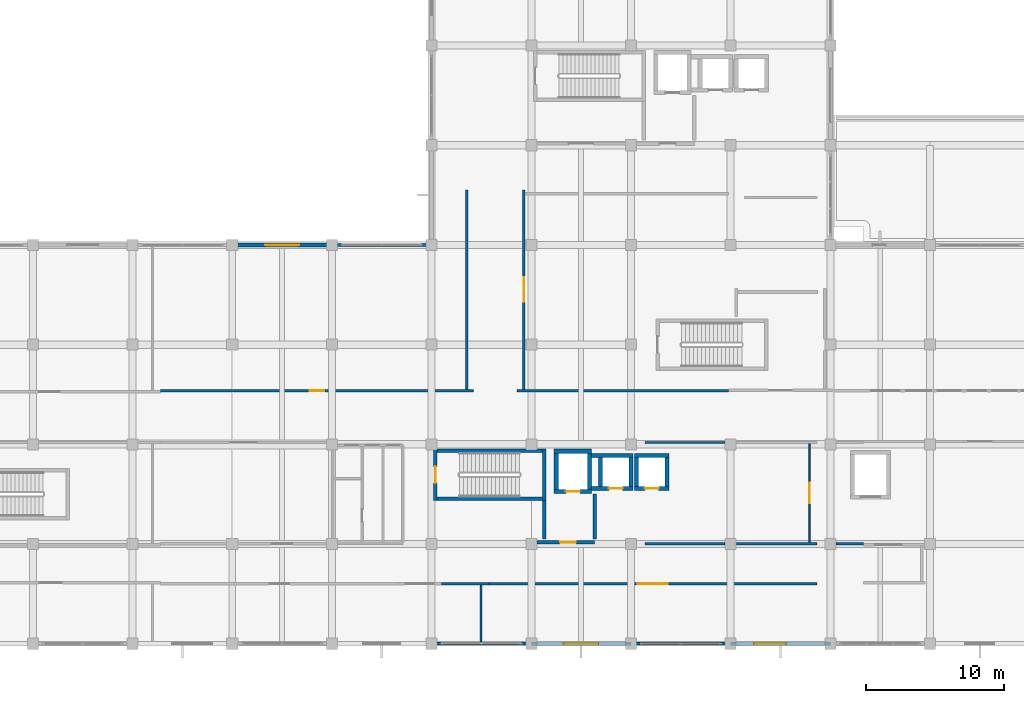
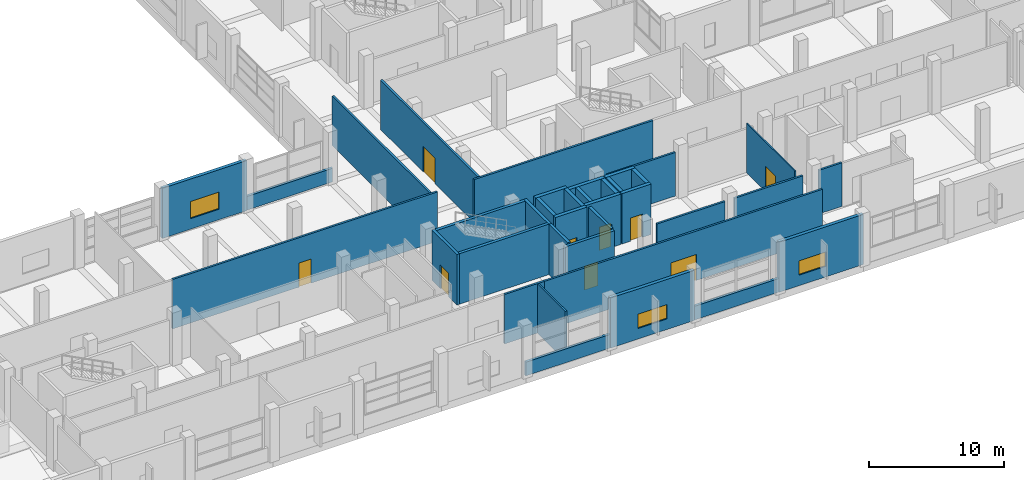
# One storey, part 122 of 140: 37 walls, 9 doors, 3 windows, 12 openings.
"""IFC4 building model written with IfcOpenShell, lengths in metres."""

from ifc_helpers import new_model, si_unit, direction, frame, frame_2d, origin, place, context, subcontext, project, spatial, rectangle, extrude, material, layer, layer_set, type_object, element, fill, save


model = new_model("IFC4")

# Units and contexts
model_context = context("Model", 3, precision=1e-05, world=origin(), true_north=direction((0.0, 1.0)))
body_context = subcontext(model_context, "Body", "Model", "MODEL_VIEW")
ifc_project = project(units=[si_unit("LENGTHUNIT", "METRE"), si_unit("AREAUNIT", "SQUARE_METRE"), si_unit("VOLUMEUNIT", "CUBIC_METRE"), si_unit("PLANEANGLEUNIT", "RADIAN"), si_unit("MASSUNIT", "GRAM", prefix="KILO")], contexts=[model_context])

# Site, building, storey
site_placement = place(None, origin())
site = spatial("IfcSite", under=ifc_project, at=site_placement, CompositionType="ELEMENT")
building_placement = place(site_placement, origin())
building = spatial("IfcBuilding", under=site, at=building_placement, Name="Seraya Terrace Polytechnic", CompositionType="ELEMENT")
storey_placement = place(building_placement, frame((0.0, 0.0, 9.60009765625)))
storey = spatial("IfcBuildingStorey", under=building, at=storey_placement, Name="L02", CompositionType="ELEMENT", Elevation=9.60009765625)

# Wall, opening, window
ifc_material_1 = material(Name="Precast concrete C40/50", Category="concrete")
ifc_layer_1 = layer(ifc_material_1, 0.280029296875, Name="EW-02")
ifc_layer_set_1 = layer_set([ifc_layer_1], Name="Precast concrete C40/50")
wall_type_1 = type_object("IfcWallType", Name="EW-02", PredefinedType="SOLIDWALL", material=ifc_layer_set_1)
wall_1_placement = place(storey_placement, frame((108.0, 0.0, 0.0), z_axis=(0.0, 0.0, 1.0), x_axis=(-1.0, 0.0, 0.0)))
wall_1 = element("IfcWall", 1, at=wall_1_placement, inside=storey, type_object=wall_type_1, Name="Exterior structural wall EW-02 L02", PredefinedType="SOLIDWALL", context=body_context, shape_type="SweptSolid", body=[
    extrude(rectangle(XDim=7.199951171875, YDim=0.280029296875, at=frame_2d((3.60009765625, 0.0))), origin(), (0.0, 0.0, 1.0), 4.52001953125),
])
opening_1_placement = place(wall_1_placement, frame((3.197998046875, 0.0, 0.949951171875)))
opening_1 = element("IfcOpeningElement", 2, at=opening_1_placement, cuts=wall_1, Name="Opening WN-09", PredefinedType="OPENING", context=body_context, shape_type="SweptSolid", body=[
    extrude(rectangle(XDim=2.300048828125, YDim=1.300048828125, at=frame_2d((1.14990234375, 0.64990234375))), frame((0.0, 0.15185546875, 0.0), z_axis=(0.0, -1.0, 0.0), x_axis=(1.0, 0.0, 0.0)), (0.0, 0.0, 1.0), 0.303955078125),
])
ifc_material_2 = material(Name="Laminated solar-control Low-E double glazing", Category="glass")
window_type_1 = type_object("IfcWindowType", Name="WN-09", PartitioningType="SINGLE_PANEL", PredefinedType="WINDOW", material=ifc_material_2)
window_1_placement = place(opening_1_placement, origin())
window_1 = element("IfcWindow", 3, at=window_1_placement, inside=storey, type_object=window_type_1, Name="Exterior window WN-09 L02", OverallHeight=1.300048828125, OverallWidth=2.300048828125, PartitioningType="SINGLE_PANEL", PredefinedType="WINDOW", context=body_context, shape_type="SweptSolid", body=[
    extrude(rectangle(XDim=2.300048828125, YDim=1.300048828125, at=frame_2d((1.14990234375, 0.64990234375))), frame((0.0, 0.030029296875, 0.0), z_axis=(0.0, -1.0, 0.0), x_axis=(1.0, 0.0, 0.0)), (0.0, 0.0, 1.0), 0.06005859375),
])
fill(opening_1, window_1)

wall_2_placement = place(storey_placement, frame((93.60009765625, 0.0, 0.0), z_axis=(0.0, 0.0, 1.0), x_axis=(-1.0, 0.0, 0.0)))
wall_2 = element("IfcWall", 4, at=wall_2_placement, inside=storey, type_object=wall_type_1, Name="Exterior structural wall EW-02 L02", PredefinedType="SOLIDWALL", context=body_context, shape_type="SweptSolid", body=[
    extrude(rectangle(XDim=7.2001953125, YDim=0.280029296875, at=frame_2d((3.60009765625, 0.0))), origin(), (0.0, 0.0, 1.0), 4.52001953125),
])
opening_2_placement = place(wall_2_placement, frame((2.35009765625, 0.0, 0.949951171875)))
opening_2 = element("IfcOpeningElement", 5, at=opening_2_placement, cuts=wall_2, Name="Opening WN-10", PredefinedType="OPENING", context=body_context, shape_type="SweptSolid", body=[
    extrude(rectangle(XDim=2.5, YDim=1.300048828125, at=frame_2d((1.25, 0.64990234375))), frame((0.0, 0.15185546875, 0.0), z_axis=(0.0, -1.0, 0.0), x_axis=(1.0, 0.0, 0.0)), (0.0, 0.0, 1.0), 0.303955078125),
])
window_type_2 = type_object("IfcWindowType", Name="WN-10", PartitioningType="SINGLE_PANEL", PredefinedType="WINDOW", material=ifc_material_2)
window_2_placement = place(opening_2_placement, origin())
window_2 = element("IfcWindow", 6, at=window_2_placement, inside=storey, type_object=window_type_2, Name="Exterior window WN-10 L02", OverallHeight=1.300048828125, OverallWidth=2.5, PartitioningType="SINGLE_PANEL", PredefinedType="WINDOW", context=body_context, shape_type="SweptSolid", body=[
    extrude(rectangle(XDim=2.5, YDim=1.300048828125, at=frame_2d((1.25, 0.64990234375))), frame((0.0, 0.030029296875, 0.0), z_axis=(0.0, -1.0, 0.0), x_axis=(1.0, 0.0, 0.0)), (0.0, 0.0, 1.0), 0.06005859375),
])
fill(opening_2, window_2)

wall_3_placement = place(storey_placement, frame((64.800048828125, 28.800048828125, 0.0), z_axis=(0.0, 0.0, 1.0), x_axis=(1.0, 0.0, 0.0)))
wall_3 = element("IfcWall", 7, at=wall_3_placement, inside=storey, type_object=wall_type_1, Name="Exterior structural wall EW-02 L02", PredefinedType="SOLIDWALL", context=body_context, shape_type="SweptSolid", body=[
    extrude(rectangle(XDim=7.199951171875, YDim=0.280029296875, at=frame_2d((3.60009765625, 0.0))), origin(), (0.0, 0.0, 1.0), 4.52001953125),
])
opening_3_placement = place(wall_3_placement, frame((2.375, 0.0, 0.949951171875)))
opening_3 = element("IfcOpeningElement", 8, at=opening_3_placement, cuts=wall_3, Name="Opening WN-21", PredefinedType="OPENING", context=body_context, shape_type="SweptSolid", body=[
    extrude(rectangle(XDim=2.449951171875, YDim=1.550048828125, at=frame_2d((1.22509765625, 0.77490234375))), frame((0.0, 0.15185546875, 0.0), z_axis=(0.0, -1.0, 0.0), x_axis=(1.0, 0.0, 0.0)), (0.0, 0.0, 1.0), 0.303955078125),
])
window_type_3 = type_object("IfcWindowType", Name="WN-21", PartitioningType="SINGLE_PANEL", PredefinedType="WINDOW", material=ifc_material_2)
window_3_placement = place(opening_3_placement, origin())
window_3 = element("IfcWindow", 9, at=window_3_placement, inside=storey, type_object=window_type_3, Name="Exterior window WN-21 L02", OverallHeight=1.550048828125, OverallWidth=2.449951171875, PartitioningType="SINGLE_PANEL", PredefinedType="WINDOW", context=body_context, shape_type="SweptSolid", body=[
    extrude(rectangle(XDim=2.449951171875, YDim=1.550048828125, at=frame_2d((1.22509765625, 0.77490234375))), frame((0.0, 0.030029296875, 0.0), z_axis=(0.0, -1.0, 0.0), x_axis=(1.0, 0.0, 0.0)), (0.0, 0.0, 1.0), 0.06005859375),
])
fill(opening_3, window_3)

# Walls
ifc_layer_2 = layer(ifc_material_1, 0.219970703125, Name="EW-05")
ifc_layer_set_2 = layer_set([ifc_layer_2], Name="Precast concrete C40/50")
wall_type_2 = type_object("IfcWallType", Name="EW-05", PredefinedType="SOLIDWALL", material=ifc_layer_set_2)
for number, where, z_axis, x_axis, name in (
    (10, (100.800048828125, 0.0, 0.0), (0.0, 0.0, 1.0), (-1.0, 0.0, 0.0), "Precast spandrel wall L02"),
    (11, (86.39990234375, 0.0, 0.0), (0.0, 0.0, 1.0), (-1.0, 0.0, 0.0), "Precast spandrel wall L02"),
):
    element("IfcWall", number, at=place(storey_placement, frame(where, z_axis=z_axis, x_axis=x_axis)), inside=storey, type_object=wall_type_2, Name=name, PredefinedType="SOLIDWALL", context=body_context, shape_type="SweptSolid", body=[
        extrude(rectangle(XDim=7.199951171875, YDim=0.219970703125, at=frame_2d((3.60009765625, 0.0))), origin(), (0.0, 0.0, 1.0), 1.239990234375),
    ])
wall_4_placement = place(storey_placement, frame((72.0, 28.800048828125, 0.0), z_axis=(0.0, 0.0, 1.0), x_axis=(1.0, 0.0, 0.0)))
element("IfcWall", 12, at=wall_4_placement, inside=storey, type_object=wall_type_2, Name="Precast spandrel wall L02", PredefinedType="SOLIDWALL", context=body_context, shape_type="SweptSolid", body=[
    extrude(rectangle(XDim=7.35009765625, YDim=0.219970703125, at=frame_2d((3.675048828125, 0.0))), origin(), (0.0, 0.0, 1.0), 1.239990234375),
])

# Wall, opening, door
ifc_material_3 = material(Name="Autoclaved aerated concrete blockwork", Category="masonry")
ifc_layer_3 = layer(ifc_material_3, 0.169921875, Name="PT-02")
ifc_layer_set_3 = layer_set([ifc_layer_3], Name="Autoclaved aerated concrete blockwork")
wall_type_3 = type_object("IfcWallType", Name="PT-02", PredefinedType="PARTITIONING", material=ifc_layer_set_3)
wall_5_placement = place(storey_placement, frame((59.62353515625, 18.27001953125, 0.0), z_axis=(0.0, 0.0, 1.0), x_axis=(1.0, 0.0, 0.0)))
wall_5 = element("IfcWall", 13, at=wall_5_placement, inside=storey, type_object=wall_type_3, Name="Internal partition PT-02 L02", PredefinedType="PARTITIONING", context=body_context, shape_type="SweptSolid", body=[
    extrude(rectangle(XDim=22.610107421875, YDim=0.169921875, at=frame_2d((11.30517578125, 0.0))), origin(), (0.0, 0.0, 1.0), 4.4599609375),
])
opening_4_placement = place(wall_5_placement, frame((10.784912109375, 0.0, 0.0)))
opening_4 = element("IfcOpeningElement", 14, at=opening_4_placement, cuts=wall_5, Name="Opening ID-04", PredefinedType="OPENING", context=body_context, shape_type="SweptSolid", body=[
    extrude(rectangle(XDim=1.0400390625, YDim=2.179931640625, at=frame_2d((0.52001953125, 1.08984375))), frame((0.0, 0.096923828125, 0.0), z_axis=(0.0, -1.0, 0.0), x_axis=(1.0, 0.0, 0.0)), (0.0, 0.0, 1.0), 0.19384765625),
])
ifc_material_4 = material(Name="Malaysian dark red meranti hardwood timber D40", Category="wood")
door_type_1 = type_object("IfcDoorType", Name="ID-04", OperationType="NOTDEFINED", PredefinedType="DOOR", material=ifc_material_4)
door_1_placement = place(opening_4_placement, frame((1.0400390625, 0.0, 0.0), z_axis=(0.0, 0.0, 1.0), x_axis=(-1.0, 0.0, 0.0)))
door_1 = element("IfcDoor", 15, at=door_1_placement, inside=storey, type_object=door_type_1, Name="Door ID-04 DR-INT-L02-0161 in WL-INT-L02-0425", OperationType="SINGLE_SWING_RIGHT", OverallHeight=2.179931640625, OverallWidth=1.0400390625, PredefinedType="DOOR", context=body_context, shape_type="SweptSolid", body=[
    extrude(rectangle(XDim=1.0400390625, YDim=2.179931640625, at=frame_2d((0.52001953125, 1.08984375))), frame((0.0, 0.02490234375, 0.0), z_axis=(0.0, -1.0, 0.0), x_axis=(1.0, 0.0, 0.0)), (0.0, 0.0, 1.0), 0.050048828125),
])
fill(opening_4, door_1)

# Walls
wall_6_placement = place(storey_placement, frame((94.60009765625, 14.530029296875, 0.0), z_axis=(0.0, 0.0, 1.0), x_axis=(1.0, 0.0, 0.0)))
element("IfcWall", 16, at=wall_6_placement, inside=storey, type_object=wall_type_3, Name="Internal partition PT-02 L02", PredefinedType="PARTITIONING", context=body_context, shape_type="SweptSolid", body=[
    extrude(rectangle(XDim=5.789794921875, YDim=0.169921875, at=frame_2d((2.89501953125, 0.0))), origin(), (0.0, 0.0, 1.0), 3.929931640625),
])
wall_7_placement = place(storey_placement, frame((85.366455078125, 18.27001953125, 0.0), z_axis=(0.0, 0.0, 1.0), x_axis=(1.0, 0.0, 0.0)))
element("IfcWall", 17, at=wall_7_placement, inside=storey, type_object=wall_type_3, Name="Internal partition PT-02 L02", PredefinedType="PARTITIONING", context=body_context, shape_type="SweptSolid", body=[
    extrude(rectangle(XDim=15.2734375, YDim=0.169921875, at=frame_2d((7.63671875, 0.0))), origin(), (0.0, 0.0, 1.0), 4.4599609375),
])
wall_8_placement = place(storey_placement, frame((79.909912109375, 4.330078125, 0.0), z_axis=(0.0, 0.0, 1.0), x_axis=(1.0, 0.0, 0.0)))
element("IfcWall", 18, at=wall_8_placement, inside=storey, type_object=wall_type_3, Name="Internal partition PT-02 L02", PredefinedType="PARTITIONING", context=body_context, shape_type="SweptSolid", body=[
    extrude(rectangle(XDim=3.41796875, YDim=0.169921875, at=frame_2d((1.708984375, 0.0))), origin(), (0.0, 0.0, 1.0), 4.4599609375),
])
wall_9_placement = place(storey_placement, frame((101.2099609375, 7.219970703125, 0.0), z_axis=(0.0, 0.0, 1.0), x_axis=(1.0, 0.0, 0.0)))
element("IfcWall", 19, at=wall_9_placement, inside=storey, type_object=wall_type_3, Name="Internal partition PT-02 L02", PredefinedType="PARTITIONING", context=body_context, shape_type="SweptSolid", body=[
    extrude(rectangle(XDim=5.833984375, YDim=0.169921875, at=frame_2d((2.9169921875, 0.0))), origin(), (0.0, 0.0, 1.0), 3.929931640625),
])
wall_10_placement = place(storey_placement, frame((94.60009765625, 7.219970703125, 0.0), z_axis=(0.0, 0.0, 1.0), x_axis=(1.0, 0.0, 0.0)))
element("IfcWall", 20, at=wall_10_placement, inside=storey, type_object=wall_type_3, Name="Internal partition PT-02 L02", PredefinedType="PARTITIONING", context=body_context, shape_type="SweptSolid", body=[
    extrude(rectangle(XDim=5.789794921875, YDim=0.169921875, at=frame_2d((2.89501953125, 0.0))), origin(), (0.0, 0.0, 1.0), 3.929931640625),
])

# Wall, opening, door
wall_11_placement = place(storey_placement, frame((83.327880859375, 4.330078125, 0.0), z_axis=(0.0, 0.0, 1.0), x_axis=(1.0, 0.0, 0.0)))
wall_11 = element("IfcWall", 21, at=wall_11_placement, inside=storey, type_object=wall_type_3, Name="Internal partition PT-02 L02", PredefinedType="PARTITIONING", context=body_context, shape_type="SweptSolid", body=[
    extrude(rectangle(XDim=23.716064453125, YDim=0.169921875, at=frame_2d((11.85791015625, 0.0))), origin(), (0.0, 0.0, 1.0), 4.4599609375),
])
opening_5_placement = place(wall_11_placement, frame((10.778076171875, 0.0, 0.0)))
opening_5 = element("IfcOpeningElement", 22, at=opening_5_placement, cuts=wall_11, Name="Opening ID-18", PredefinedType="OPENING", context=body_context, shape_type="SweptSolid", body=[
    extrude(rectangle(XDim=2.159912109375, YDim=2.35009765625, at=frame_2d((1.080078125, 1.175048828125))), frame((0.0, 0.096923828125, 0.0), z_axis=(0.0, -1.0, 0.0), x_axis=(1.0, 0.0, 0.0)), (0.0, 0.0, 1.0), 0.19384765625),
])
door_type_2 = type_object("IfcDoorType", Name="ID-18", OperationType="DOUBLE_DOOR_SINGLE_SWING", PredefinedType="DOOR", material=ifc_material_4)
door_2_placement = place(opening_5_placement, frame((2.159912109375, 0.0, 0.0), z_axis=(0.0, 0.0, 1.0), x_axis=(-1.0, 0.0, 0.0)))
door_2 = element("IfcDoor", 23, at=door_2_placement, inside=storey, type_object=door_type_2, Name="Door ID-18 DR-INT-L02-0159 in WL-INT-L02-0439", OperationType="DOUBLE_DOOR_SINGLE_SWING", OverallHeight=2.35009765625, OverallWidth=2.159912109375, PredefinedType="DOOR", context=body_context, shape_type="SweptSolid", body=[
    extrude(rectangle(XDim=2.159912109375, YDim=2.35009765625, at=frame_2d((1.080078125, 1.175048828125))), frame((0.0, 0.02490234375, 0.0), z_axis=(0.0, -1.0, 0.0), x_axis=(1.0, 0.0, 0.0)), (0.0, 0.0, 1.0), 0.050048828125),
])
fill(opening_5, door_2)

# Walls
wall_12_placement = place(storey_placement, frame((108.409912109375, 7.219970703125, 0.0), z_axis=(0.0, 0.0, 1.0), x_axis=(1.0, 0.0, 0.0)))
element("IfcWall", 24, at=wall_12_placement, inside=storey, type_object=wall_type_3, Name="Internal partition PT-02 L02", PredefinedType="PARTITIONING", context=body_context, shape_type="SweptSolid", body=[
    extrude(rectangle(XDim=1.978515625, YDim=0.169921875, at=frame_2d((0.9892578125, 0.0))), origin(), (0.0, 0.0, 1.0), 3.929931640625),
])
wall_13_placement = place(storey_placement, frame((81.73681640625, 18.3701171875, 0.0), z_axis=(0.0, 0.0, 1.0), x_axis=(0.0, 1.0, 0.0)))
element("IfcWall", 25, at=wall_13_placement, inside=storey, type_object=wall_type_3, Name="Internal partition PT-02 L02", PredefinedType="PARTITIONING", context=body_context, shape_type="SweptSolid", body=[
    extrude(rectangle(XDim=14.413818359375, YDim=0.169921875, at=frame_2d((7.20703125, 0.0))), origin(), (0.0, 0.0, 1.0), 4.4599609375),
])

# Wall, opening, door
wall_14_placement = place(storey_placement, frame((85.86328125, 18.3701171875, 0.0), z_axis=(0.0, 0.0, 1.0), x_axis=(0.0, 1.0, 0.0)))
wall_14 = element("IfcWall", 26, at=wall_14_placement, inside=storey, type_object=wall_type_3, Name="Internal partition PT-02 L02", PredefinedType="PARTITIONING", context=body_context, shape_type="SweptSolid", body=[
    extrude(rectangle(XDim=14.413818359375, YDim=0.169921875, at=frame_2d((7.20703125, 0.0))), origin(), (0.0, 0.0, 1.0), 4.4599609375),
])
opening_6_placement = place(wall_14_placement, frame((6.326904296875, 0.0, 0.0)))
opening_6 = element("IfcOpeningElement", 27, at=opening_6_placement, cuts=wall_14, Name="Opening ID-14", PredefinedType="OPENING", context=body_context, shape_type="SweptSolid", body=[
    extrude(rectangle(XDim=1.760009765625, YDim=2.300048828125, at=frame_2d((0.8798828125, 1.14990234375))), frame((0.0, 0.096923828125, 0.0), z_axis=(0.0, -1.0, 0.0), x_axis=(1.0, 0.0, 0.0)), (0.0, 0.0, 1.0), 0.19384765625),
])
door_type_3 = type_object("IfcDoorType", Name="ID-14", OperationType="DOUBLE_DOOR_SINGLE_SWING", PredefinedType="DOOR", material=ifc_material_4)
door_3_placement = place(opening_6_placement, frame((1.760009765625, 0.0, 0.0), z_axis=(0.0, 0.0, 1.0), x_axis=(-1.0, 0.0, 0.0)))
door_3 = element("IfcDoor", 28, at=door_3_placement, inside=storey, type_object=door_type_3, Name="Door ID-14 DR-INT-L02-0139 in WL-INT-L02-0455", OperationType="DOUBLE_DOOR_SINGLE_SWING", OverallHeight=2.300048828125, OverallWidth=1.760009765625, PredefinedType="DOOR", context=body_context, shape_type="SweptSolid", body=[
    extrude(rectangle(XDim=1.760009765625, YDim=2.300048828125, at=frame_2d((0.8798828125, 1.14990234375))), frame((0.0, 0.02490234375, 0.0), z_axis=(0.0, -1.0, 0.0), x_axis=(1.0, 0.0, 0.0)), (0.0, 0.0, 1.0), 0.050048828125),
])
fill(opening_6, door_3)

# Wall
ifc_layer_4 = layer(ifc_material_3, 0.14990234375, Name="PT-03")
ifc_layer_set_4 = layer_set([ifc_layer_4], Name="Autoclaved aerated concrete blockwork")
wall_type_4 = type_object("IfcWallType", Name="PT-03", PredefinedType="PARTITIONING", material=ifc_layer_set_4)
wall_15_placement = place(storey_placement, frame((82.76806640625, 0.1220703125, 0.0), z_axis=(0.0, 0.0, 1.0), x_axis=(0.0, 1.0, 0.0)))
element("IfcWall", 29, at=wall_15_placement, inside=storey, type_object=wall_type_4, Name="Internal partition PT-03 L02", PredefinedType="PARTITIONING", context=body_context, shape_type="SweptSolid", body=[
    extrude(rectangle(XDim=4.10791015625, YDim=0.14990234375, at=frame_2d((2.053955078125, 0.0))), origin(), (0.0, 0.0, 1.0), 4.4599609375),
])

# Wall, opening, door
ifc_layer_5 = layer(ifc_material_3, 0.10009765625, Name="PT-06")
ifc_layer_set_5 = layer_set([ifc_layer_5], Name="Autoclaved aerated concrete blockwork")
wall_type_5 = type_object("IfcWallType", Name="PT-06", PredefinedType="PARTITIONING", material=ifc_layer_set_5)
wall_16_placement = place(storey_placement, frame((106.48388671875, 7.320068359375, 0.0), z_axis=(0.0, 0.0, 1.0), x_axis=(0.0, 1.0, 0.0)))
wall_16 = element("IfcWall", 30, at=wall_16_placement, inside=storey, type_object=wall_type_5, Name="Internal partition PT-06 L02", PredefinedType="PARTITIONING", context=body_context, shape_type="SweptSolid", body=[
    extrude(rectangle(XDim=7.10986328125, YDim=0.10009765625, at=frame_2d((3.554931640625, 0.0))), origin(), (0.0, 0.0, 1.0), 4.4599609375),
])
opening_7_placement = place(wall_16_placement, frame((2.81494140625, 0.0, 0.0)))
opening_7 = element("IfcOpeningElement", 31, at=opening_7_placement, cuts=wall_16, Name="Opening ID-11", PredefinedType="OPENING", context=body_context, shape_type="SweptSolid", body=[
    extrude(rectangle(XDim=1.47998046875, YDim=2.260009765625, at=frame_2d((0.739990234375, 1.1298828125))), frame((0.0, 0.06201171875, 0.0), z_axis=(0.0, -1.0, 0.0), x_axis=(1.0, 0.0, 0.0)), (0.0, 0.0, 1.0), 0.1240234375),
])
door_type_4 = type_object("IfcDoorType", Name="ID-11", OperationType="DOUBLE_DOOR_SINGLE_SWING", PredefinedType="DOOR", material=ifc_material_4)
door_4_placement = place(opening_7_placement, origin())
door_4 = element("IfcDoor", 32, at=door_4_placement, inside=storey, type_object=door_type_4, Name="Door ID-11 DR-INT-L02-0168 in WL-INT-L02-0528", OperationType="DOUBLE_DOOR_SINGLE_SWING", OverallHeight=2.260009765625, OverallWidth=1.47998046875, PredefinedType="DOOR", context=body_context, shape_type="SweptSolid", body=[
    extrude(rectangle(XDim=1.47998046875, YDim=2.260009765625, at=frame_2d((0.739990234375, 1.1298828125))), frame((0.0, 0.02490234375, 0.0), z_axis=(0.0, -1.0, 0.0), x_axis=(1.0, 0.0, 0.0)), (0.0, 0.0, 1.0), 0.050048828125),
])
fill(opening_7, door_4)

ifc_material_5 = material(Name="Concrete C40/50", Category="concrete")
ifc_layer_6 = layer(ifc_material_5, 0.300048828125, Name="SW-01")
ifc_layer_set_6 = layer_set([ifc_layer_6], Name="Concrete C40/50")
wall_type_6 = type_object("IfcWallType", Name="SW-01", PredefinedType="SHEAR", material=ifc_layer_set_6)
wall_17_placement = place(storey_placement, frame((88.050048828125, 11.0, 0.0), z_axis=(0.0, 0.0, 1.0), x_axis=(1.0, 0.0, 0.0)))
wall_17 = element("IfcWall", 33, at=wall_17_placement, inside=storey, type_object=wall_type_6, Name="Lift shaft FL-01 South wall L02", PredefinedType="SHEAR", context=body_context, shape_type="SweptSolid", body=[
    extrude(rectangle(XDim=2.699951171875, YDim=0.300048828125, at=frame_2d((1.35009765625, 0.0))), origin(), (0.0, 0.0, 1.0), 4.5498046875),
])
opening_8_placement = place(wall_17_placement, frame((0.85009765625, 0.0, 0.0)))
opening_8 = element("IfcOpeningElement", 34, at=opening_8_placement, cuts=wall_17, Name="Opening LD-01", PredefinedType="OPENING", context=body_context, shape_type="SweptSolid", body=[
    extrude(rectangle(XDim=1.0, YDim=2.10009765625, at=frame_2d((0.5, 1.050048828125))), frame((0.0, 0.162109375, 0.0), z_axis=(0.0, -1.0, 0.0), x_axis=(1.0, 0.0, 0.0)), (0.0, 0.0, 1.0), 0.323974609375),
])
ifc_material_6 = material(Name="Steel S355J2", Category="steel")
door_type_5 = type_object("IfcDoorType", Name="LD-01", OperationType="SLIDING_TO_LEFT", PredefinedType="DOOR", material=ifc_material_6)
door_5_placement = place(opening_8_placement, frame((1.0, 0.0, 0.0), z_axis=(0.0, 0.0, 1.0), x_axis=(-1.0, 0.0, 0.0)))
door_5 = element("IfcDoor", 35, at=door_5_placement, inside=storey, type_object=door_type_5, Name="Door LD-01 LD-FL-01-L02 in WL-SHF-FL-01-L02-S", OperationType="SLIDING_TO_LEFT", OverallHeight=2.10009765625, OverallWidth=1.0, PredefinedType="DOOR", context=body_context, shape_type="SweptSolid", body=[
    extrude(rectangle(XDim=1.0, YDim=2.10009765625, at=frame_2d((0.5, 1.050048828125))), frame((0.0, 0.02490234375, 0.0), z_axis=(0.0, -1.0, 0.0), x_axis=(1.0, 0.0, 0.0)), (0.0, 0.0, 1.0), 0.050048828125),
])
fill(opening_8, door_5)

# Walls
wall_18_placement = place(storey_placement, frame((88.050048828125, 13.89990234375, 0.0), z_axis=(0.0, 0.0, 1.0), x_axis=(1.0, 0.0, 0.0)))
element("IfcWall", 36, at=wall_18_placement, inside=storey, type_object=wall_type_6, Name="Lift shaft FL-01 North wall L02", PredefinedType="SHEAR", context=body_context, shape_type="SweptSolid", body=[
    extrude(rectangle(XDim=2.699951171875, YDim=0.300048828125, at=frame_2d((1.35009765625, 0.0))), origin(), (0.0, 0.0, 1.0), 4.5498046875),
])
for number, where, z_axis, x_axis, name in (
    (37, (88.199951171875, 11.14990234375, 0.0), (0.0, 0.0, 1.0), (0.0, 1.0, 0.0), "Lift shaft FL-01 West wall L02"),
    (38, (90.60009765625, 11.14990234375, 0.0), (0.0, 0.0, 1.0), (0.0, 1.0, 0.0), "Lift shaft FL-01 East wall L02"),
):
    element("IfcWall", number, at=place(storey_placement, frame(where, z_axis=z_axis, x_axis=x_axis)), inside=storey, type_object=wall_type_6, Name=name, PredefinedType="SHEAR", context=body_context, shape_type="SweptSolid", body=[
        extrude(rectangle(XDim=2.60009765625, YDim=0.300048828125, at=frame_2d((1.300048828125, 0.0))), origin(), (0.0, 0.0, 1.0), 4.5498046875),
    ])

# Wall, opening, door
wall_19_placement = place(storey_placement, frame((90.75, 11.199951171875, 0.0), z_axis=(0.0, 0.0, 1.0), x_axis=(1.0, 0.0, 0.0)))
wall_19 = element("IfcWall", 39, at=wall_19_placement, inside=storey, type_object=wall_type_6, Name="Lift shaft PL-01 South wall L02", PredefinedType="SHEAR", context=body_context, shape_type="SweptSolid", body=[
    extrude(rectangle(XDim=3.0, YDim=0.300048828125, at=frame_2d((1.5, 0.0))), origin(), (0.0, 0.0, 1.0), 4.5498046875),
])
opening_9_placement = place(wall_19_placement, frame((1.25, 0.0, 0.0)))
opening_9 = element("IfcOpeningElement", 40, at=opening_9_placement, cuts=wall_19, Name="Opening LD-01", PredefinedType="OPENING", context=body_context, shape_type="SweptSolid", body=[
    extrude(rectangle(XDim=1.0, YDim=2.10009765625, at=frame_2d((0.5, 1.050048828125))), frame((0.0, 0.162109375, 0.0), z_axis=(0.0, -1.0, 0.0), x_axis=(1.0, 0.0, 0.0)), (0.0, 0.0, 1.0), 0.323974609375),
])
door_6_placement = place(opening_9_placement, frame((1.0, 0.0, 0.0), z_axis=(0.0, 0.0, 1.0), x_axis=(-1.0, 0.0, 0.0)))
door_6 = element("IfcDoor", 41, at=door_6_placement, inside=storey, type_object=door_type_5, Name="Door LD-01 LD-PL-01-L02 in WL-SHF-PL-01-L02-S", OperationType="SLIDING_TO_RIGHT", OverallHeight=2.10009765625, OverallWidth=1.0, PredefinedType="DOOR", context=body_context, shape_type="SweptSolid", body=[
    extrude(rectangle(XDim=1.0, YDim=2.10009765625, at=frame_2d((0.5, 1.050048828125))), frame((0.0, 0.02490234375, 0.0), z_axis=(0.0, -1.0, 0.0), x_axis=(1.0, 0.0, 0.0)), (0.0, 0.0, 1.0), 0.050048828125),
])
fill(opening_9, door_6)

# Walls
wall_20_placement = place(storey_placement, frame((90.75, 13.60009765625, 0.0), z_axis=(0.0, 0.0, 1.0), x_axis=(1.0, 0.0, 0.0)))
element("IfcWall", 42, at=wall_20_placement, inside=storey, type_object=wall_type_6, Name="Lift shaft PL-01 North wall L02", PredefinedType="SHEAR", context=body_context, shape_type="SweptSolid", body=[
    extrude(rectangle(XDim=3.0, YDim=0.300048828125, at=frame_2d((1.5, 0.0))), origin(), (0.0, 0.0, 1.0), 4.5498046875),
])
for number, where, z_axis, x_axis, name in (
    (43, (91.39990234375, 11.35009765625, 0.0), (0.0, 0.0, 1.0), (0.0, 1.0, 0.0), "Lift shaft PL-01 West wall L02"),
    (44, (93.60009765625, 11.35009765625, 0.0), (0.0, 0.0, 1.0), (0.0, 1.0, 0.0), "Lift shaft PL-01 East wall L02"),
):
    element("IfcWall", number, at=place(storey_placement, frame(where, z_axis=z_axis, x_axis=x_axis)), inside=storey, type_object=wall_type_6, Name=name, PredefinedType="SHEAR", context=body_context, shape_type="SweptSolid", body=[
        extrude(rectangle(XDim=2.099853515625, YDim=0.300048828125, at=frame_2d((1.0498046875, 0.0))), origin(), (0.0, 0.0, 1.0), 4.5498046875),
    ])

# Wall, opening, door
wall_21_placement = place(storey_placement, frame((93.85009765625, 11.199951171875, 0.0), z_axis=(0.0, 0.0, 1.0), x_axis=(1.0, 0.0, 0.0)))
wall_21 = element("IfcWall", 45, at=wall_21_placement, inside=storey, type_object=wall_type_6, Name="Lift shaft PL-02 South wall L02", PredefinedType="SHEAR", context=body_context, shape_type="SweptSolid", body=[
    extrude(rectangle(XDim=2.5, YDim=0.300048828125, at=frame_2d((1.25, 0.0))), origin(), (0.0, 0.0, 1.0), 4.5498046875),
])
opening_10_placement = place(wall_21_placement, frame((0.75, 0.0, 0.0)))
opening_10 = element("IfcOpeningElement", 46, at=opening_10_placement, cuts=wall_21, Name="Opening LD-01", PredefinedType="OPENING", context=body_context, shape_type="SweptSolid", body=[
    extrude(rectangle(XDim=1.0, YDim=2.10009765625, at=frame_2d((0.5, 1.050048828125))), frame((0.0, 0.162109375, 0.0), z_axis=(0.0, -1.0, 0.0), x_axis=(1.0, 0.0, 0.0)), (0.0, 0.0, 1.0), 0.323974609375),
])
door_7_placement = place(opening_10_placement, frame((1.0, 0.0, 0.0), z_axis=(0.0, 0.0, 1.0), x_axis=(-1.0, 0.0, 0.0)))
door_7 = element("IfcDoor", 47, at=door_7_placement, inside=storey, type_object=door_type_5, Name="Door LD-01 LD-PL-02-L02 in WL-SHF-PL-02-L02-S", OperationType="SLIDING_TO_LEFT", OverallHeight=2.10009765625, OverallWidth=1.0, PredefinedType="DOOR", context=body_context, shape_type="SweptSolid", body=[
    extrude(rectangle(XDim=1.0, YDim=2.10009765625, at=frame_2d((0.5, 1.050048828125))), frame((0.0, 0.02490234375, 0.0), z_axis=(0.0, -1.0, 0.0), x_axis=(1.0, 0.0, 0.0)), (0.0, 0.0, 1.0), 0.050048828125),
])
fill(opening_10, door_7)

# Walls
wall_22_placement = place(storey_placement, frame((93.85009765625, 13.60009765625, 0.0), z_axis=(0.0, 0.0, 1.0), x_axis=(1.0, 0.0, 0.0)))
element("IfcWall", 48, at=wall_22_placement, inside=storey, type_object=wall_type_6, Name="Lift shaft PL-02 North wall L02", PredefinedType="SHEAR", context=body_context, shape_type="SweptSolid", body=[
    extrude(rectangle(XDim=2.5, YDim=0.300048828125, at=frame_2d((1.25, 0.0))), origin(), (0.0, 0.0, 1.0), 4.5498046875),
])
for number, where, z_axis, x_axis, name in (
    (49, (94.0, 11.35009765625, 0.0), (0.0, 0.0, 1.0), (0.0, 1.0, 0.0), "Lift shaft PL-02 West wall L02"),
    (50, (96.199951171875, 11.35009765625, 0.0), (0.0, 0.0, 1.0), (0.0, 1.0, 0.0), "Lift shaft PL-02 East wall L02"),
):
    element("IfcWall", number, at=place(storey_placement, frame(where, z_axis=z_axis, x_axis=x_axis)), inside=storey, type_object=wall_type_6, Name=name, PredefinedType="SHEAR", context=body_context, shape_type="SweptSolid", body=[
        extrude(rectangle(XDim=2.099853515625, YDim=0.300048828125, at=frame_2d((1.0498046875, 0.0))), origin(), (0.0, 0.0, 1.0), 4.5498046875),
    ])

# Wall, opening, door
ifc_layer_7 = layer(ifc_material_5, 0.25, Name="SW-02")
ifc_layer_set_7 = layer_set([ifc_layer_7], Name="Concrete C40/50")
wall_type_7 = type_object("IfcWallType", Name="SW-02", PredefinedType="SHEAR", material=ifc_layer_set_7)
wall_23_placement = place(storey_placement, frame((79.47509765625, 10.35009765625, 0.0), z_axis=(0.0, 0.0, 1.0), x_axis=(0.0, 1.0, 0.0)))
wall_23 = element("IfcWall", 51, at=wall_23_placement, inside=storey, type_object=wall_type_7, Name="Stairwell ST-01 West wall L02", PredefinedType="SHEAR", context=body_context, shape_type="SweptSolid", body=[
    extrude(rectangle(XDim=3.699951171875, YDim=0.25, at=frame_2d((1.85009765625, 0.0))), origin(), (0.0, 0.0, 1.0), 4.5498046875),
])
opening_11_placement = place(wall_23_placement, frame((1.25, 0.0, 0.0)))
opening_11 = element("IfcOpeningElement", 52, at=opening_11_placement, cuts=wall_23, Name="Opening FD-01", PredefinedType="OPENING", context=body_context, shape_type="SweptSolid", body=[
    extrude(rectangle(XDim=1.199951171875, YDim=2.14990234375, at=frame_2d((0.60009765625, 1.074951171875))), frame((0.0, 0.136962890625, 0.0), z_axis=(0.0, -1.0, 0.0), x_axis=(1.0, 0.0, 0.0)), (0.0, 0.0, 1.0), 0.27392578125),
])
door_type_6 = type_object("IfcDoorType", Name="FD-01", OperationType="NOTDEFINED", PredefinedType="DOOR", material=ifc_material_6)
door_8_placement = place(opening_11_placement, frame((1.199951171875, 0.0, 0.0), z_axis=(0.0, 0.0, 1.0), x_axis=(-1.0, 0.0, 0.0)))
door_8 = element("IfcDoor", 53, at=door_8_placement, inside=storey, type_object=door_type_6, Name="Door FD-01 DR-STR-ST-01-L02 in WL-STR-ST-01-L02-W", OperationType="SINGLE_SWING_RIGHT", OverallHeight=2.14990234375, OverallWidth=1.199951171875, PredefinedType="DOOR", context=body_context, shape_type="SweptSolid", body=[
    extrude(rectangle(XDim=1.199951171875, YDim=2.14990234375, at=frame_2d((0.60009765625, 1.074951171875))), frame((0.0, 0.02490234375, 0.0), z_axis=(0.0, -1.0, 0.0), x_axis=(1.0, 0.0, 0.0)), (0.0, 0.0, 1.0), 0.050048828125),
])
fill(opening_11, door_8)

# Walls
wall_24_placement = place(storey_placement, frame((87.324951171875, 10.35009765625, 0.0), z_axis=(0.0, 0.0, 1.0), x_axis=(0.0, 1.0, 0.0)))
element("IfcWall", 54, at=wall_24_placement, inside=storey, type_object=wall_type_7, Name="Stairwell ST-01 East wall L02", PredefinedType="SHEAR", context=body_context, shape_type="SweptSolid", body=[
    extrude(rectangle(XDim=3.699951171875, YDim=0.25, at=frame_2d((1.85009765625, 0.0))), origin(), (0.0, 0.0, 1.0), 4.5498046875),
])
for number, where, z_axis, x_axis, name in (
    (55, (79.60009765625, 10.47509765625, 0.0), (0.0, 0.0, 1.0), (1.0, 0.0, 0.0), "Stairwell ST-01 South wall L02"),
    (56, (79.60009765625, 13.925048828125, 0.0), (0.0, 0.0, 1.0), (1.0, 0.0, 0.0), "Stairwell ST-01 North wall L02"),
):
    element("IfcWall", number, at=place(storey_placement, frame(where, z_axis=z_axis, x_axis=x_axis)), inside=storey, type_object=wall_type_7, Name=name, PredefinedType="SHEAR", context=body_context, shape_type="SweptSolid", body=[
        extrude(rectangle(XDim=7.599853515625, YDim=0.25, at=frame_2d((3.7998046875, 0.0))), origin(), (0.0, 0.0, 1.0), 4.5498046875),
    ])

# Wall, opening, door
wall_25_placement = place(storey_placement, frame((86.800048828125, 7.324951171875, 0.0), z_axis=(0.0, 0.0, 1.0), x_axis=(1.0, 0.0, 0.0)))
wall_25 = element("IfcWall", 57, at=wall_25_placement, inside=storey, type_object=wall_type_7, Name="Firefighting lobby A South wall L02", PredefinedType="SHEAR", context=body_context, shape_type="SweptSolid", body=[
    extrude(rectangle(XDim=4.175048828125, YDim=0.25, at=frame_2d((2.08740234375, 0.0))), origin(), (0.0, 0.0, 1.0), 4.5498046875),
])
opening_12_placement = place(wall_25_placement, frame((1.675048828125, 0.0, 0.0)))
opening_12 = element("IfcOpeningElement", 58, at=opening_12_placement, cuts=wall_25, Name="Opening FD-02", PredefinedType="OPENING", context=body_context, shape_type="SweptSolid", body=[
    extrude(rectangle(XDim=1.14990234375, YDim=2.14990234375, at=frame_2d((0.574951171875, 1.074951171875))), frame((0.0, 0.136962890625, 0.0), z_axis=(0.0, -1.0, 0.0), x_axis=(1.0, 0.0, 0.0)), (0.0, 0.0, 1.0), 0.27392578125),
])
door_type_7 = type_object("IfcDoorType", Name="FD-02", OperationType="NOTDEFINED", PredefinedType="DOOR", material=ifc_material_6)
door_9_placement = place(opening_12_placement, frame((1.14990234375, 0.0, 0.0), z_axis=(0.0, 0.0, 1.0), x_axis=(-1.0, 0.0, 0.0)))
door_9 = element("IfcDoor", 59, at=door_9_placement, inside=storey, type_object=door_type_7, Name="Door FD-02 DR-FFL-CORE-A-L02 in WL-FFL-CORE-A-L02-S", OperationType="SINGLE_SWING_RIGHT", OverallHeight=2.14990234375, OverallWidth=1.14990234375, PredefinedType="DOOR", context=body_context, shape_type="SweptSolid", body=[
    extrude(rectangle(XDim=1.14990234375, YDim=2.14990234375, at=frame_2d((0.574951171875, 1.074951171875))), frame((0.0, 0.02490234375, 0.0), z_axis=(0.0, -1.0, 0.0), x_axis=(1.0, 0.0, 0.0)), (0.0, 0.0, 1.0), 0.050048828125),
])
fill(opening_12, door_9)

# Walls
wall_26_placement = place(storey_placement, frame((87.324951171875, 7.574951171875, 0.0), z_axis=(0.0, 0.0, 1.0), x_axis=(0.0, 1.0, 0.0)))
element("IfcWall", 60, at=wall_26_placement, inside=storey, type_object=wall_type_7, Name="Firefighting lobby A West wall L02", PredefinedType="SHEAR", context=body_context, shape_type="SweptSolid", body=[
    extrude(rectangle(XDim=2.77001953125, YDim=0.25, at=frame_2d((1.385009765625, 0.0))), origin(), (0.0, 0.0, 1.0), 4.5498046875),
])
wall_27_placement = place(storey_placement, frame((90.97509765625, 7.574951171875, 0.0), z_axis=(0.0, 0.0, 1.0), x_axis=(0.0, 1.0, 0.0)))
element("IfcWall", 61, at=wall_27_placement, inside=storey, type_object=wall_type_7, Name="Firefighting lobby A East wall L02", PredefinedType="SHEAR", context=body_context, shape_type="SweptSolid", body=[
    extrude(rectangle(XDim=3.22509765625, YDim=0.25, at=frame_2d((1.612548828125, 0.0))), origin(), (0.0, 0.0, 1.0), 4.5498046875),
])

save(model, "model.ifc")
